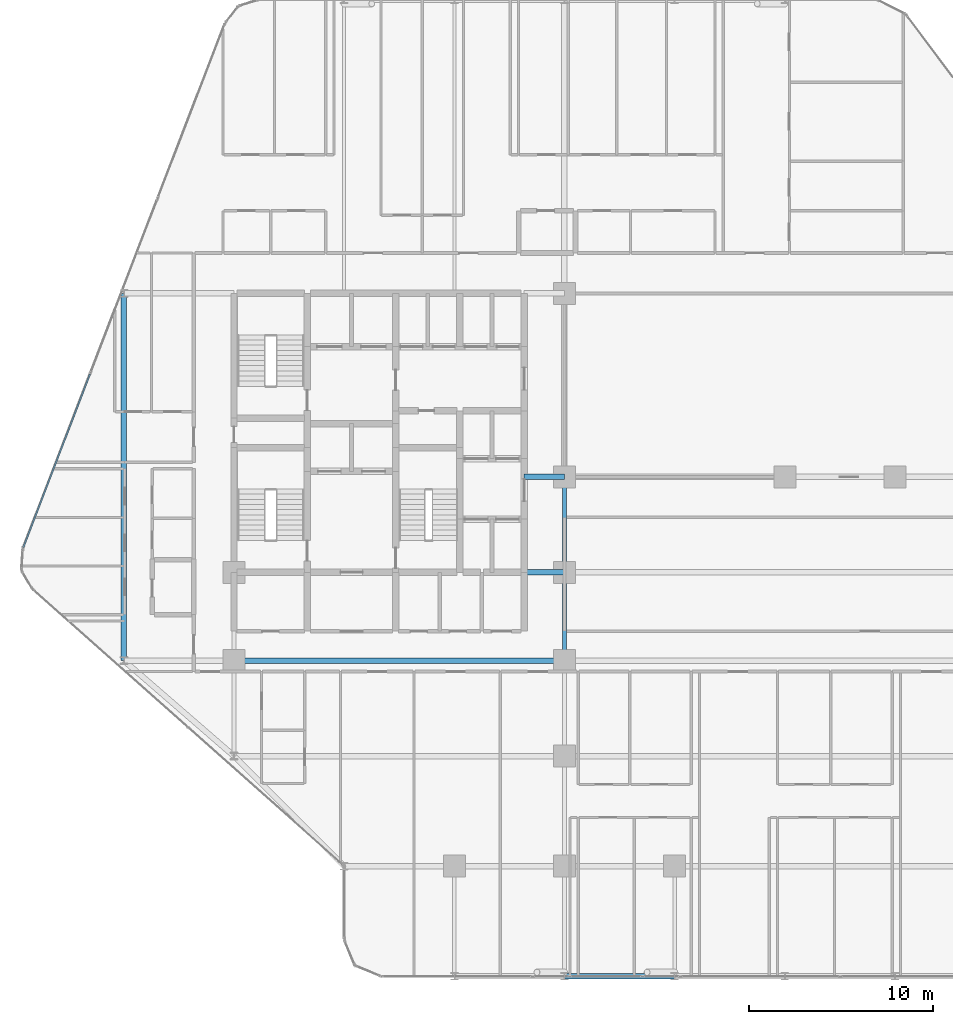
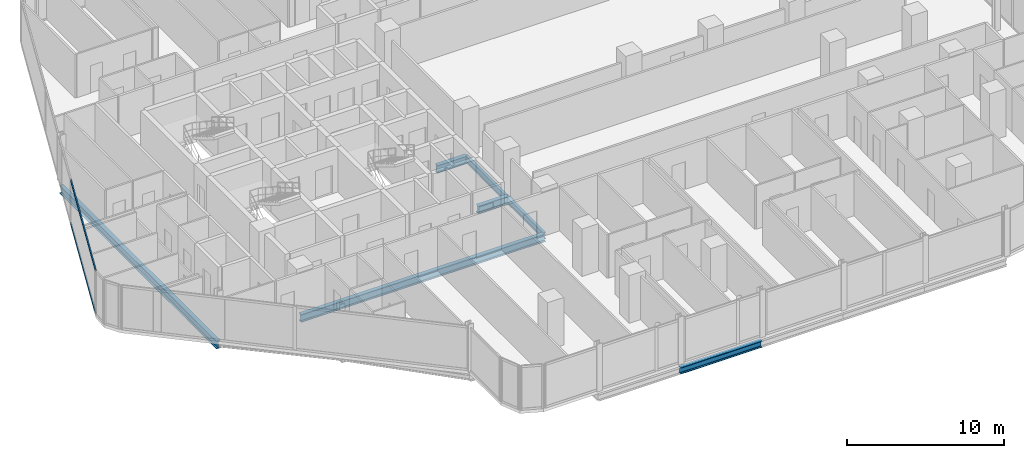
# One storey, part 7 of 33: 7 beams, 2 members, 1 element without a shape of its own.
"""IFC4 building model written with IfcOpenShell, lengths in metres."""

from ifc_helpers import new_model, si_unit, direction, frame, origin, origin_2d, place, context, subcontext, project, spatial, hollow_rectangle, i_section, extrude, material, layer, layer_set, material_profile, profile_set, type_object, element, aggregate, save


model = new_model("IFC4")

# Units and contexts
model_context = context("Model", 3, precision=1e-05, world=origin(), true_north=direction((0.0, 1.0)))
body_context = subcontext(model_context, "Body", "Model", "MODEL_VIEW")
ifc_project = project(units=[si_unit("LENGTHUNIT", "METRE"), si_unit("AREAUNIT", "SQUARE_METRE"), si_unit("VOLUMEUNIT", "CUBIC_METRE"), si_unit("PLANEANGLEUNIT", "RADIAN"), si_unit("MASSUNIT", "GRAM", prefix="KILO")], contexts=[model_context])

# Site, building, storey
site_placement = place(None, origin())
site = spatial("IfcSite", under=ifc_project, at=site_placement, CompositionType="ELEMENT")
building_placement = place(site_placement, origin())
building = spatial("IfcBuilding", under=site, at=building_placement, Name="Keshet Zoharim Tower", CompositionType="ELEMENT")
storey_placement = place(building_placement, frame((0.0, 0.0, 73.800048828125)))
storey = spatial("IfcBuildingStorey", under=building, at=storey_placement, Name="L17", CompositionType="ELEMENT", Elevation=73.800048828125)

# Beams
ifc_material_1 = material(Name="Steel S355", Category="steel")
ifc_material_profile_1 = material_profile(ifc_material_1, i_section(OverallWidth=0.300048828125, OverallDepth=0.60009765625, WebThickness=0.015380859375, FlangeThickness=0.030029296875, FilletRadius=0.027099609375, at=origin_2d()), Name="HEB600")
ifc_profile_set_1 = profile_set([ifc_material_profile_1], Name="Steel S355")
beam_type_1 = type_object("IfcBeamType", Name="BM-CLK-HB600", PredefinedType="BEAM", material=ifc_profile_set_1)
for number, where, z_axis, x_axis, name in (
    (1, (30.800048828125, 22.699951171875, -0.614990234375), (1.0, 0.0, 0.0), (0.0, 1.0, 0.0), "L17 Core Wall Link Girder 01"),
    (2, (30.800048828125, 27.89990234375, -0.614990234375), (1.0, 0.0, 0.0), (0.0, 1.0, 0.0), "L17 Core Wall Link Girder 02"),
):
    element("IfcBeam", number, at=place(storey_placement, frame(where, z_axis=z_axis, x_axis=x_axis)), inside=storey, type_object=beam_type_1, Name=name, PredefinedType="BEAM", context=body_context, shape_type="SweptSolid", body=[
        extrude(i_section(OverallWidth=0.300048828125, OverallDepth=0.60009765625, WebThickness=0.015380859375, FlangeThickness=0.030029296875, FilletRadius=0.027099609375, at=origin_2d()), origin(), (0.0, 0.0, 1.0), 2.199951171875),
    ])
ifc_material_profile_2 = material_profile(ifc_material_1, i_section(OverallWidth=0.300048828125, OverallDepth=0.60009765625, WebThickness=0.015380859375, FlangeThickness=0.030029296875, FilletRadius=0.027099609375, at=origin_2d()), Name="HEB600")
ifc_profile_set_2 = profile_set([ifc_material_profile_2], Name="Steel S355")
beam_type_2 = type_object("IfcBeamType", Name="BM-LNG-HB600", PredefinedType="BEAM", material=ifc_profile_set_2)
beam_1_placement = place(storey_placement, frame((15.0, 17.89990234375, -0.614990234375), z_axis=(1.0, 0.0, 0.0), x_axis=(0.0, 1.0, 0.0)))
element("IfcBeam", 3, at=beam_1_placement, inside=storey, type_object=beam_type_2, Name="L17 Primary Girder X-016", PredefinedType="BEAM", context=body_context, shape_type="SweptSolid", body=[
    extrude(i_section(OverallWidth=0.300048828125, OverallDepth=0.60009765625, WebThickness=0.015380859375, FlangeThickness=0.030029296875, FilletRadius=0.027099609375, at=origin_2d()), origin(), (0.0, 0.0, 1.0), 18.0),
])
beam_2_placement = place(storey_placement, frame((9.0, 17.89990234375, -0.614990234375), z_axis=(0.0, 1.0, 0.0), x_axis=(-1.0, 0.0, 0.0)))
element("IfcBeam", 4, at=beam_2_placement, inside=storey, type_object=beam_type_2, Name="L17 Primary Girder Y-001", PredefinedType="BEAM", context=body_context, shape_type="SweptSolid", body=[
    extrude(i_section(OverallWidth=0.300048828125, OverallDepth=0.60009765625, WebThickness=0.015380859375, FlangeThickness=0.030029296875, FilletRadius=0.027099609375, at=origin_2d()), origin(), (0.0, 0.0, 1.0), 20.0),
])
ifc_material_profile_3 = material_profile(ifc_material_1, i_section(OverallWidth=0.199951171875, OverallDepth=0.5, WebThickness=0.01025390625, FlangeThickness=0.01611328125, FilletRadius=0.02099609375, at=origin_2d()), Name="IPE500")
ifc_profile_set_3 = profile_set([ifc_material_profile_3], Name="Steel S355")
beam_type_3 = type_object("IfcBeamType", Name="BM-PRI-IP500", PredefinedType="BEAM", material=ifc_profile_set_3)
beam_3_placement = place(storey_placement, frame((33.0, 17.89990234375, -0.56494140625), z_axis=(0.0, 1.0, 0.0), x_axis=(-1.0, 0.0, 0.0)))
element("IfcBeam", 5, at=beam_3_placement, inside=storey, type_object=beam_type_3, Name="L17 Primary Girder Y-008", PredefinedType="BEAM", context=body_context, shape_type="SweptSolid", body=[
    extrude(i_section(OverallWidth=0.199951171875, OverallDepth=0.5, WebThickness=0.01025390625, FlangeThickness=0.01611328125, FilletRadius=0.02099609375, at=origin_2d()), origin(), (0.0, 0.0, 1.0), 4.800048828125),
])
beam_4_placement = place(storey_placement, frame((33.0, 22.699951171875, -0.56494140625), z_axis=(0.0, 1.0, 0.0), x_axis=(-1.0, 0.0, 0.0)))
element("IfcBeam", 6, at=beam_4_placement, inside=storey, type_object=beam_type_3, Name="L17 Primary Girder Y-009", PredefinedType="BEAM", context=body_context, shape_type="SweptSolid", body=[
    extrude(i_section(OverallWidth=0.199951171875, OverallDepth=0.5, WebThickness=0.01025390625, FlangeThickness=0.01611328125, FilletRadius=0.02099609375, at=origin_2d()), origin(), (0.0, 0.0, 1.0), 5.199951171875),
])
ifc_material_profile_4 = material_profile(ifc_material_1, i_section(OverallWidth=0.300048828125, OverallDepth=0.5, WebThickness=0.014404296875, FlangeThickness=0.028076171875, FilletRadius=0.027099609375, at=origin_2d()), Name="HEB500")
ifc_profile_set_4 = profile_set([ifc_material_profile_4], Name="Steel S355")
beam_type_4 = type_object("IfcBeamType", Name="BM-WEB-HB500", PredefinedType="BEAM", material=ifc_profile_set_4)
beam_5_placement = place(storey_placement, frame((33.0, 0.699951171875, -0.56494140625), z_axis=(1.0, 0.0, 0.0), x_axis=(0.0, 1.0, 0.0)))
element("IfcBeam", 7, at=beam_5_placement, inside=storey, type_object=beam_type_4, Name="L17 Primary Girder X-002", PredefinedType="BEAM", context=body_context, shape_type="SweptSolid", body=[
    extrude(i_section(OverallWidth=0.300048828125, OverallDepth=0.5, WebThickness=0.014404296875, FlangeThickness=0.028076171875, FilletRadius=0.027099609375, at=origin_2d()), origin(), (0.0, 0.0, 1.0), 6.0),
])

# Curtain wall, members
ifc_material_2 = material(Name="Aluminium 6063-T6", Category="aluminium")
ifc_layer = layer(ifc_material_2, 0.179931640625)
ifc_layer_set = layer_set([ifc_layer], Name="Aluminium 6063-T6")
curtain_wall_type = type_object("IfcCurtainWallType", Name="CW-SYS-01", PredefinedType="NOTDEFINED", material=ifc_layer_set)
curtain_wall_placement = place(storey_placement, origin())
curtain_wall = element("IfcCurtainWall", 8, at=curtain_wall_placement, inside=storey, type_object=curtain_wall_type, Name="L17 Unitised Curtain Wall 04", PredefinedType="NOTDEFINED")
ifc_material_profile_5 = material_profile(ifc_material_2, hollow_rectangle(XDim=0.0849609375, YDim=0.159912109375, WallThickness=0.00439453125, at=origin_2d()), Name="TRN-85x160")
ifc_profile_set_5 = profile_set([ifc_material_profile_5], Name="Aluminium 6063-T6")
member_type = type_object("IfcMemberType", Name="CWT-T16", PredefinedType="USERDEFINED", material=ifc_profile_set_5)
member_1_placement = place(storey_placement, frame((3.522216796875, 24.058349609375, 0.034912109375), z_axis=(0.358993631387, 0.93334000912, 0.0), x_axis=(-0.93334000912, 0.358993631387, 0.0)))
member_1 = element("IfcMember", 9, at=member_1_placement, type_object=member_type, Name="CW-01 transom 1.1", ObjectType="TRANSOM", PredefinedType="USERDEFINED", context=body_context, shape_type="SweptSolid", body=[
    extrude(hollow_rectangle(XDim=0.0849609375, YDim=0.159912109375, WallThickness=0.00439453125, at=origin_2d()), origin(), (0.0, 0.0, 1.0), 10.1181640625),
])
member_2_placement = place(storey_placement, frame((3.522216796875, 24.058349609375, 3.349853515625), z_axis=(0.358993631387, 0.93334000912, 0.0), x_axis=(-0.93334000912, 0.358993631387, 0.0)))
member_2 = element("IfcMember", 10, at=member_2_placement, type_object=member_type, Name="CW-01 transom 1.2", ObjectType="TRANSOM", PredefinedType="USERDEFINED", context=body_context, shape_type="SweptSolid", body=[
    extrude(hollow_rectangle(XDim=0.0849609375, YDim=0.159912109375, WallThickness=0.00439453125, at=origin_2d()), origin(), (0.0, 0.0, 1.0), 10.1181640625),
])
aggregate(curtain_wall, [member_1, member_2])

save(model, "model.ifc")
